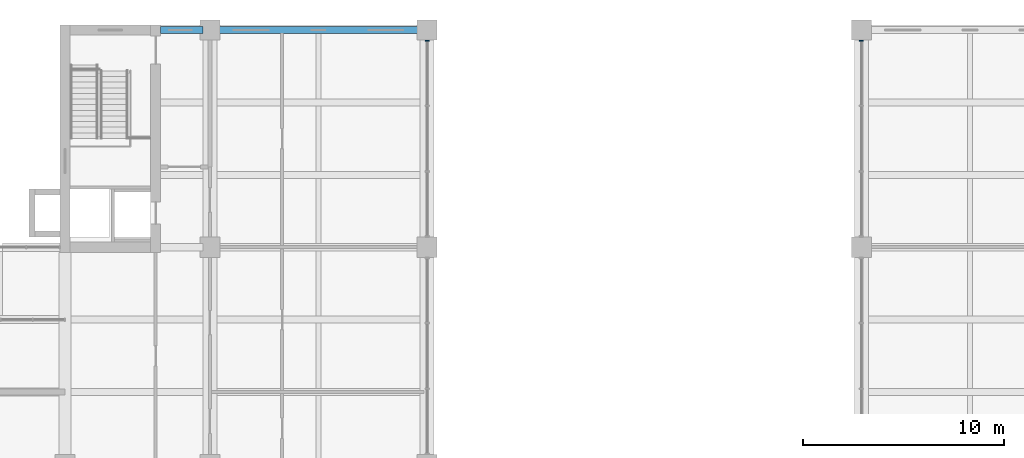
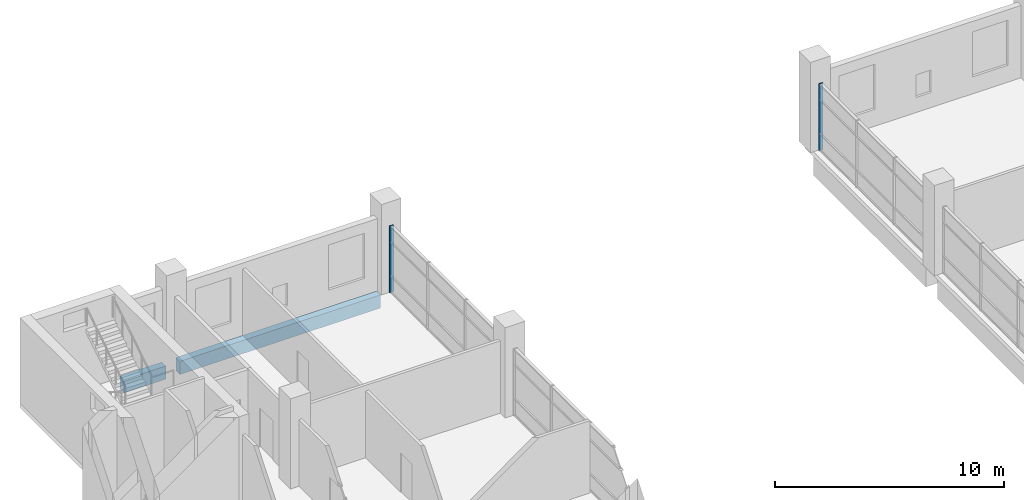
# One storey, part 15 of 30: 2 beams, 2 members, 2 elements without a shape of their own.
"""IFC4 building model written with IfcOpenShell, lengths in metres."""

from ifc_helpers import new_model, si_unit, direction, frame, origin, origin_2d, place, context, subcontext, project, spatial, rectangle, extrude, material, layer, layer_set, material_profile, profile_set, type_object, element, aggregate, save


model = new_model("IFC4")

# Units and contexts
model_context = context("Model", 3, precision=1e-05, world=origin(), true_north=direction((0.0, 1.0)))
body_context = subcontext(model_context, "Body", "Model", "MODEL_VIEW")
ifc_project = project(units=[si_unit("LENGTHUNIT", "METRE"), si_unit("AREAUNIT", "SQUARE_METRE"), si_unit("VOLUMEUNIT", "CUBIC_METRE"), si_unit("PLANEANGLEUNIT", "RADIAN"), si_unit("MASSUNIT", "GRAM", prefix="KILO")], contexts=[model_context])

# Site, building, storey
site_placement = place(None, origin())
site = spatial("IfcSite", under=ifc_project, at=site_placement, CompositionType="ELEMENT")
building_placement = place(site_placement, origin())
building = spatial("IfcBuilding", under=site, at=building_placement, Name="Basin Gate Institute", CompositionType="ELEMENT")
storey_placement = place(building_placement, frame((0.0, 0.0, 36.60009765625)))
storey = spatial("IfcBuildingStorey", under=building, at=storey_placement, Name="L07", CompositionType="ELEMENT", Elevation=36.60009765625)

# Beams
ifc_material_1 = material(Name="Concrete 40 MPa", Category="concrete")
ifc_material_profile_1 = material_profile(ifc_material_1, rectangle(XDim=0.35009765625, YDim=0.699951171875, at=origin_2d()), Name="Beam B1 350 x 700")
ifc_profile_set_1 = profile_set([ifc_material_profile_1], Name="Concrete 40 MPa")
beam_type = type_object("IfcBeamType", Name="Beam B1 R120", PredefinedType="BEAM", material=ifc_profile_set_1)
beam_1_placement = place(storey_placement, frame((68.75, 99.89990234375, -0.60009765625), z_axis=(1.0, 0.0, 0.0), x_axis=(0.0, 1.0, 0.0)))
element("IfcBeam", 1, at=beam_1_placement, inside=storey, type_object=beam_type, material=ifc_profile_set_1, Name="BEAM/L07/W/EW/19", PredefinedType="BEAM", context=body_context, shape_type="SweptSolid", body=[
    extrude(rectangle(XDim=0.35009765625, YDim=0.699951171875, at=origin_2d()), origin(), (0.0, 0.0, 1.0), 10.10009765625),
])
beam_2_placement = place(storey_placement, frame((65.949951171875, 99.89990234375, -0.60009765625), z_axis=(1.0, 0.0, 0.0), x_axis=(0.0, 1.0, 0.0)))
element("IfcBeam", 2, at=beam_2_placement, inside=storey, type_object=beam_type, material=ifc_profile_set_1, Name="BEAM/L07/W/CORR/19", PredefinedType="BEAM", context=body_context, shape_type="SweptSolid", body=[
    extrude(rectangle(XDim=0.35009765625, YDim=0.699951171875, at=origin_2d()), origin(), (0.0, 0.0, 1.0), 2.10009765625),
])

# Curtain wall, member
ifc_material_2 = material(Name="Aluminium-framed glazing", Category="aluminium")
ifc_layer = layer(ifc_material_2, 0.199951171875)
ifc_layer_set = layer_set([ifc_layer], Name="Atrium curtain wall CW2")
curtain_wall_type = type_object("IfcCurtainWallType", Name="Atrium curtain wall CW2", PredefinedType="NOTDEFINED", material=ifc_layer_set)
curtain_wall_1_placement = place(storey_placement, origin())
curtain_wall_1 = element("IfcCurtainWall", 3, at=curtain_wall_1_placement, inside=storey, type_object=curtain_wall_type, material=ifc_layer_set, Name="Atrium curtain wall W wing atrium bay 6 L07", PredefinedType="NOTDEFINED")
ifc_material_3 = material(Name="Aluminium", Category="aluminium")
ifc_material_profile_2 = material_profile(ifc_material_3, rectangle(XDim=0.199951171875, YDim=0.06005859375, at=origin_2d()), Name="Mullion MU2 200 x 60")
ifc_profile_set_2 = profile_set([ifc_material_profile_2], Name="Aluminium")
member_type = type_object("IfcMemberType", Name="Mullion MU2", PredefinedType="MULLION", material=ifc_profile_set_2)
member_1_placement = place(storey_placement, frame((79.199951171875, 99.3701171875, 0.0), z_axis=(0.0, 0.0, 1.0), x_axis=(-1.0, 0.0, 0.0)))
member_1 = element("IfcMember", 4, at=member_1_placement, type_object=member_type, material=ifc_profile_set_2, Name="CW2 mullion 4", PredefinedType="MULLION", context=body_context, shape_type="SweptSolid", body=[
    extrude(rectangle(XDim=0.199951171875, YDim=0.06005859375, at=origin_2d()), origin(), (0.0, 0.0, 1.0), 3.5498046875),
])
aggregate(curtain_wall_1, [member_1])

curtain_wall_2_placement = place(storey_placement, origin())
curtain_wall_2 = element("IfcCurtainWall", 5, at=curtain_wall_2_placement, inside=storey, type_object=curtain_wall_type, material=ifc_layer_set, Name="Atrium curtain wall E wing atrium bay 6 L07", PredefinedType="NOTDEFINED")
member_2_placement = place(storey_placement, frame((100.800048828125, 99.3701171875, 0.0), z_axis=(0.0, 0.0, 1.0), x_axis=(-1.0, 0.0, 0.0)))
member_2 = element("IfcMember", 6, at=member_2_placement, type_object=member_type, material=ifc_profile_set_2, Name="CW2 mullion 4", PredefinedType="MULLION", context=body_context, shape_type="SweptSolid", body=[
    extrude(rectangle(XDim=0.199951171875, YDim=0.06005859375, at=origin_2d()), origin(), (0.0, 0.0, 1.0), 3.5498046875),
])
aggregate(curtain_wall_2, [member_2])

save(model, "model.ifc")
